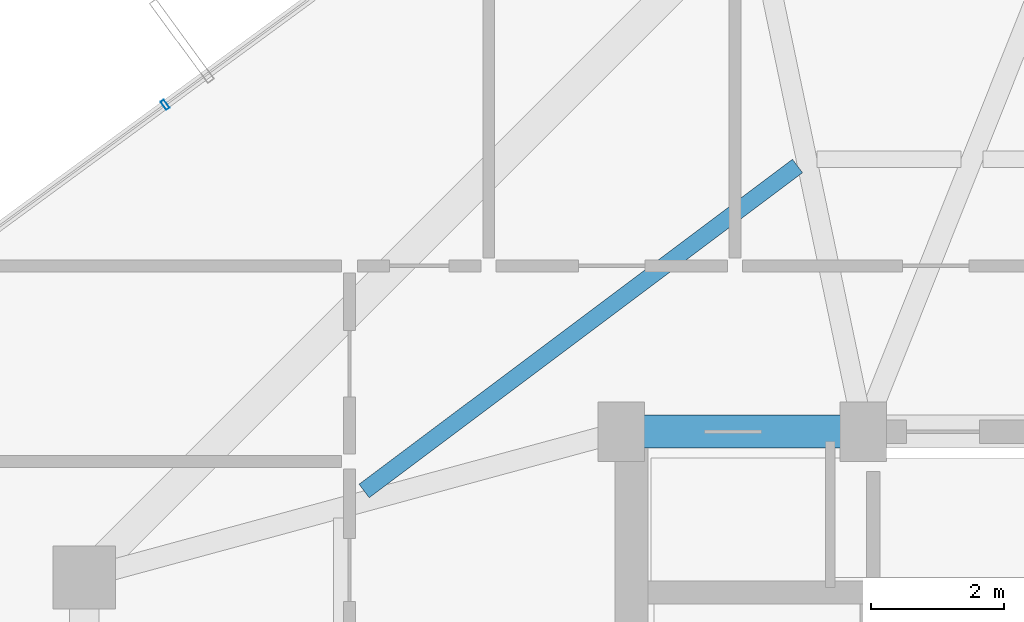
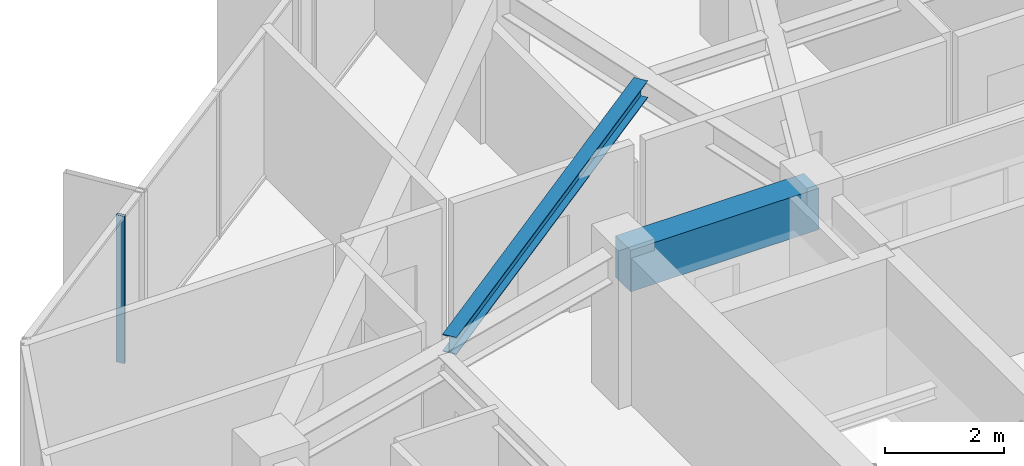
# One storey, part 15 of 32: 2 beams, 1 member, 1 element without a shape of its own.
"""IFC4 building model written with IfcOpenShell, lengths in metres."""

from ifc_helpers import new_model, si_unit, direction, frame, origin, origin_2d, place, context, subcontext, project, spatial, rectangle, hollow_rectangle, i_section, extrude, source, transform, mapped, material, layer, layer_set, material_profile, profile_set, type_object, element, aggregate, save


model = new_model("IFC4")

# Units and contexts
model_context = context("Model", 3, precision=1e-05, world=origin(), true_north=direction((0.0, 1.0)))
body_context = subcontext(model_context, "Body", "Model", "MODEL_VIEW")
ifc_project = project(units=[si_unit("LENGTHUNIT", "METRE"), si_unit("AREAUNIT", "SQUARE_METRE"), si_unit("VOLUMEUNIT", "CUBIC_METRE"), si_unit("PLANEANGLEUNIT", "RADIAN"), si_unit("MASSUNIT", "GRAM", prefix="KILO")], contexts=[model_context])

# Site, building, storey
site_placement = place(None, origin())
site = spatial("IfcSite", under=ifc_project, at=site_placement, CompositionType="ELEMENT")
building_placement = place(site_placement, origin())
building = spatial("IfcBuilding", under=site, at=building_placement, Name="Veraguas Prism Commons", CompositionType="ELEMENT")
storey_placement = place(building_placement, frame((0.0, 0.0, 185.35009765625)))
storey = spatial("IfcBuildingStorey", under=building, at=storey_placement, Name="L52", CompositionType="ELEMENT", Elevation=185.35009765625)

# Beams
ifc_material_1 = material(Name="Concrete C50/60", Category="concrete")
ifc_material_profile_1 = material_profile(ifc_material_1, rectangle(XDim=0.5, YDim=0.85009765625, at=origin_2d()), Name="RC500X850")
ifc_profile_set_1 = profile_set([ifc_material_profile_1], Name="Concrete C50/60")
beam_type_1 = type_object("IfcBeamType", Name="Core Coupling Beam RC 500x850", PredefinedType="BEAM", material=ifc_profile_set_1)
beam_1_placement = place(storey_placement, frame((17.199951171875, 31.0, 2.58984375), z_axis=(1.0, 0.0, 0.0), x_axis=(0.0, 1.0, 0.0)))
element("IfcBeam", 1, at=beam_1_placement, inside=storey, type_object=beam_type_1, Name="Core Coupling Beam L52-CRN1", PredefinedType="BEAM", context=body_context, shape_type="SweptSolid", body=[
    extrude(rectangle(XDim=0.5, YDim=0.85009765625, at=origin_2d()), origin(), (0.0, 0.0, 1.0), 3.650146484375),
])
ifc_material_2 = material(Name="Steel ASTM A992 Grade 50", Category="steel")
ifc_material_profile_2 = material_profile(ifc_material_2, i_section(OverallWidth=0.25390625, OverallDepth=0.35302734375, WebThickness=0.009521484375, FlangeThickness=0.016357421875, at=origin_2d()), Name="W360X91")
ifc_profile_set_2 = profile_set([ifc_material_profile_2], Name="Steel ASTM A992 Grade 50")
beam_type_2 = type_object("IfcBeamType", Name="Upper Floor Joist W360x91", PredefinedType="JOIST", material=ifc_profile_set_2)
beam_2_placement = place(storey_placement, frame((19.8564453125, 35.00634765625, 2.83837890625), z_axis=(-0.800060962004, -0.599918708724, 0.0), x_axis=(0.599918708724, -0.800060962004, 0.0)))
element("IfcBeam", 2, at=beam_2_placement, inside=storey, type_object=beam_type_2, Name="Composite Floor Joist L52-JS06", PredefinedType="JOIST", context=body_context, shape_type="SweptSolid", body=[
    extrude(i_section(OverallWidth=0.25390625, OverallDepth=0.35302734375, WebThickness=0.009521484375, FlangeThickness=0.016357421875, at=origin_2d()), origin(), (0.0, 0.0, 1.0), 8.169189453125),
])

# Curtain wall, member
ifc_material_3 = material(Name="Anodised aluminium EN AW-6063 T6", Category="aluminium")
ifc_layer = layer(ifc_material_3, 0.14990234375, Name="Unitised Flush Curtain Wall Zone 3", Category="aluminium")
ifc_layer_set = layer_set([ifc_layer], Name="Anodised aluminium EN AW-6063 T6")
curtain_wall_type = type_object("IfcCurtainWallType", Name="Unitised Flush Curtain Wall Zone 3", PredefinedType="NOTDEFINED", material=ifc_layer_set)
curtain_wall_placement = place(storey_placement, origin())
curtain_wall = element("IfcCurtainWall", 3, at=curtain_wall_placement, inside=storey, type_object=curtain_wall_type, Name="Tower Facade Curtain Wall L52-F2", PredefinedType="NOTDEFINED")
ifc_material_profile_3 = material_profile(ifc_material_3, hollow_rectangle(XDim=0.06005859375, YDim=0.14990234375, WallThickness=0.0029296875, at=origin_2d()), Name="AL60X150X3")
ifc_profile_set_3 = profile_set([ifc_material_profile_3], Name="Anodised aluminium EN AW-6063 T6")
member_type = type_object("IfcMemberType", Name="Curtain Wall Mullion Upper AL 60x150x3", PredefinedType="MULLION", material=ifc_profile_set_3)
shared_shape = source(origin(), body_context, "Body", "SweptSolid", [
    extrude(hollow_rectangle(XDim=0.06005859375, YDim=0.14990234375, WallThickness=0.0029296875, at=origin_2d()), origin(), (0.0, 0.0, 1.0), 3.014892578125),
])
member_placement = place(storey_placement, frame((10.319580078125, 35.928955078125, 0.0), z_axis=(0.0, 0.0, 1.0), x_axis=(-0.806341388983, -0.591450390493, 0.0)))
member = element("IfcMember", 4, at=member_placement, type_object=member_type, Name="CW-Z3 Mullion 4", PredefinedType="MULLION", context=body_context, shape_type="MappedRepresentation", body=[
    mapped(shared_shape, transform((0.0, 0.0, 0.0), scale=1.0)),
])
aggregate(curtain_wall, [member])

save(model, "model.ifc")
